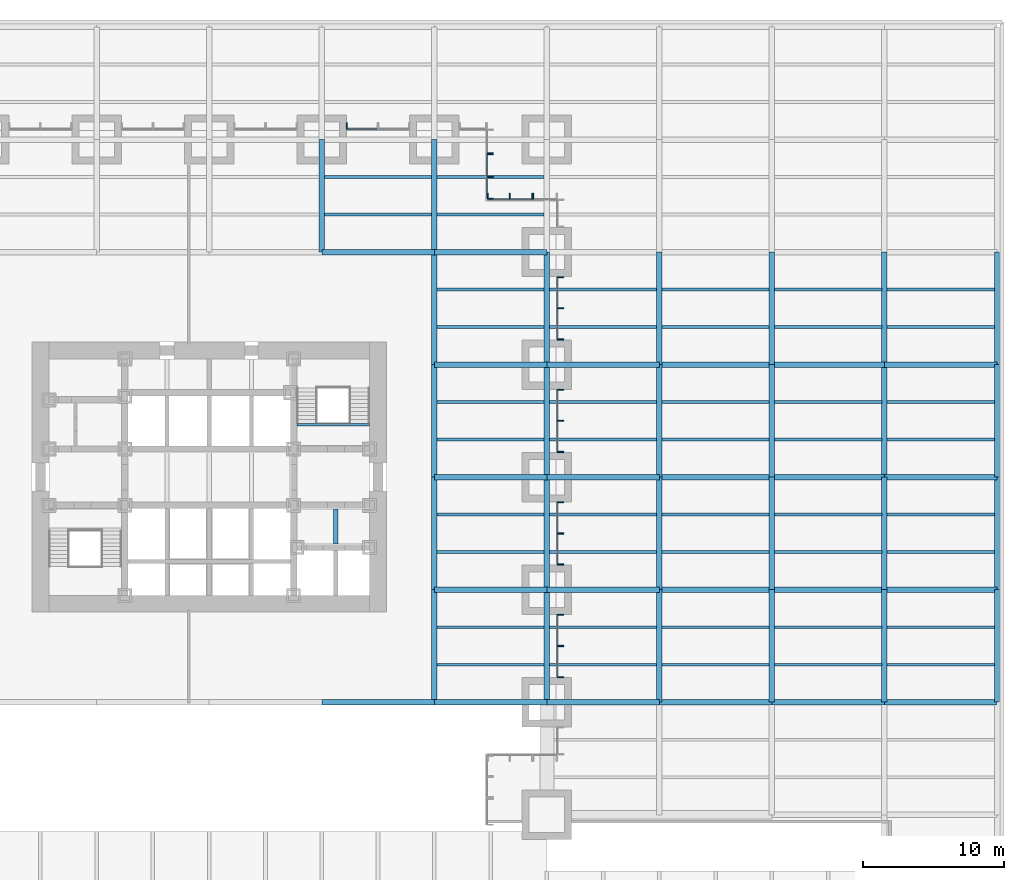
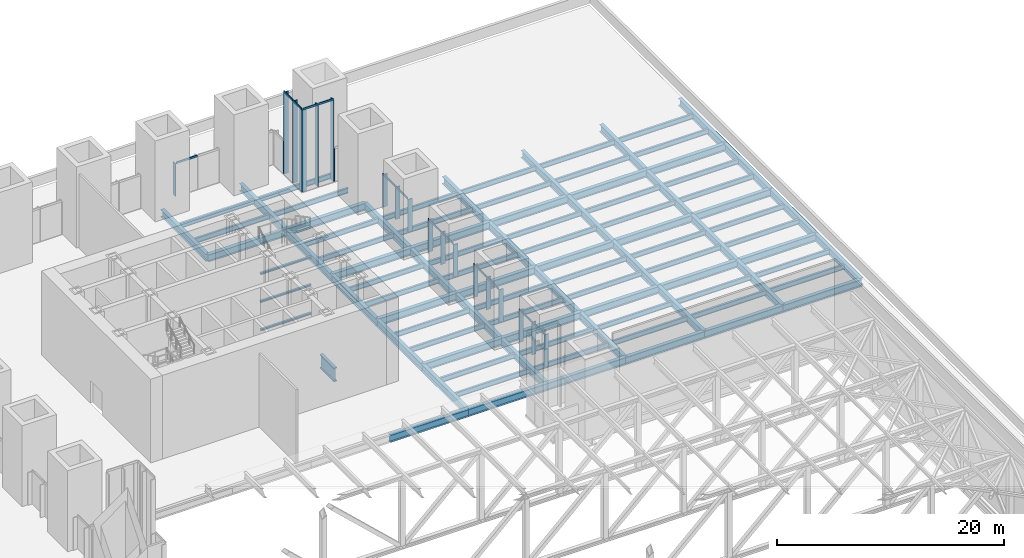
# One storey, part 10 of 20: 97 beams, 34 members, 9 elements without a shape of their own.
"""IFC4 building model written with IfcOpenShell, lengths in metres."""

from ifc_helpers import new_model, si_unit, direction, frame, origin, origin_2d, place, context, subcontext, project, spatial, rectangle, i_section, extrude, material, material_profile, profile_set, type_object, element, aggregate, save


model = new_model("IFC4")

# Units and contexts
model_context = context("Model", 3, precision=1e-05, world=origin(), true_north=direction((0.0, 1.0)))
body_context = subcontext(model_context, "Body", "Model", "MODEL_VIEW")
ifc_project = project(units=[si_unit("LENGTHUNIT", "METRE"), si_unit("AREAUNIT", "SQUARE_METRE"), si_unit("VOLUMEUNIT", "CUBIC_METRE"), si_unit("PLANEANGLEUNIT", "RADIAN"), si_unit("MASSUNIT", "GRAM", prefix="KILO")], contexts=[model_context])

# Site, building, storey
site_placement = place(None, origin())
site = spatial("IfcSite", under=ifc_project, at=site_placement, CompositionType="ELEMENT")
building_placement = place(site_placement, origin())
building = spatial("IfcBuilding", under=site, at=building_placement, Name="Daluyong Arena Tower", CompositionType="ELEMENT")
storey_placement = place(building_placement, frame((0.0, 0.0, 25.89990234375)))
storey = spatial("IfcBuildingStorey", under=building, at=storey_placement, Name="L05", CompositionType="ELEMENT", Elevation=25.89990234375)

# Curtain wall, members
ifc_material_1 = material(Name="Bronze anodised aluminium and glass", Category="aluminium")
curtain_wall_type = type_object("IfcCurtainWallType", Name="Curtain wall CW6", PredefinedType="USERDEFINED", material=ifc_material_1)
curtain_wall_1_placement = place(storey_placement, origin())
curtain_wall_1 = element("IfcCurtainWall", 1, at=curtain_wall_1_placement, inside=storey, type_object=curtain_wall_type, Name="curtain wall L05 E bay 2", ObjectType="UNITISED CURTAIN WALL", PredefinedType="USERDEFINED")
ifc_material_2 = material(Name="Bronze anodised aluminium fin", Category="aluminium")
ifc_material_profile_1 = material_profile(ifc_material_2, rectangle(XDim=0.449951171875, YDim=0.080078125, at=origin_2d()))
ifc_profile_set_1 = profile_set([ifc_material_profile_1], Name="Bronze anodised aluminium fin")
member_type_1 = type_object("IfcMemberType", Name="CW6 bronze fin 450x80", PredefinedType="MULLION", material=ifc_profile_set_1)
member_1_placement = place(storey_placement, frame((80.97509765625, 65.7900390625, 0.0), z_axis=(0.0, 0.0, 1.0), x_axis=(-1.0, 0.0, 0.0)))
member_1 = element("IfcMember", 2, at=member_1_placement, type_object=member_type_1, Name="curtain wall L05 E bay 2 fin 1", PredefinedType="MULLION", context=body_context, shape_type="SweptSolid", body=[
    extrude(rectangle(XDim=0.449951171875, YDim=0.080078125, at=origin_2d()), origin(), (0.0, 0.0, 1.0), 3.5),
])
member_2_placement = place(storey_placement, frame((80.97509765625, 68.0, 0.0), z_axis=(0.0, 0.0, 1.0), x_axis=(-1.0, 0.0, 0.0)))
member_2 = element("IfcMember", 3, at=member_2_placement, type_object=member_type_1, Name="curtain wall L05 E bay 2 fin 2", PredefinedType="MULLION", context=body_context, shape_type="SweptSolid", body=[
    extrude(rectangle(XDim=0.449951171875, YDim=0.080078125, at=origin_2d()), origin(), (0.0, 0.0, 1.0), 3.5),
])
member_3_placement = place(storey_placement, frame((80.97509765625, 70.2099609375, 0.0), z_axis=(0.0, 0.0, 1.0), x_axis=(-1.0, 0.0, 0.0)))
member_3 = element("IfcMember", 4, at=member_3_placement, type_object=member_type_1, Name="curtain wall L05 E bay 2 fin 3", PredefinedType="MULLION", context=body_context, shape_type="SweptSolid", body=[
    extrude(rectangle(XDim=0.449951171875, YDim=0.080078125, at=origin_2d()), origin(), (0.0, 0.0, 1.0), 3.5),
])

curtain_wall_2_placement = place(storey_placement, origin())
curtain_wall_2 = element("IfcCurtainWall", 5, at=curtain_wall_2_placement, inside=storey, type_object=curtain_wall_type, Name="curtain wall L05 E bay 3", ObjectType="UNITISED CURTAIN WALL", PredefinedType="USERDEFINED")
member_4_placement = place(storey_placement, frame((80.97509765625, 73.7900390625, 0.0), z_axis=(0.0, 0.0, 1.0), x_axis=(-1.0, 0.0, 0.0)))
member_4 = element("IfcMember", 6, at=member_4_placement, type_object=member_type_1, Name="curtain wall L05 E bay 3 fin 1", PredefinedType="MULLION", context=body_context, shape_type="SweptSolid", body=[
    extrude(rectangle(XDim=0.449951171875, YDim=0.080078125, at=origin_2d()), origin(), (0.0, 0.0, 1.0), 3.5),
])
member_5_placement = place(storey_placement, frame((80.97509765625, 76.0, 0.0), z_axis=(0.0, 0.0, 1.0), x_axis=(-1.0, 0.0, 0.0)))
member_5 = element("IfcMember", 7, at=member_5_placement, type_object=member_type_1, Name="curtain wall L05 E bay 3 fin 2", PredefinedType="MULLION", context=body_context, shape_type="SweptSolid", body=[
    extrude(rectangle(XDim=0.449951171875, YDim=0.080078125, at=origin_2d()), origin(), (0.0, 0.0, 1.0), 3.5),
])
member_6_placement = place(storey_placement, frame((80.97509765625, 78.2099609375, 0.0), z_axis=(0.0, 0.0, 1.0), x_axis=(-1.0, 0.0, 0.0)))
member_6 = element("IfcMember", 8, at=member_6_placement, type_object=member_type_1, Name="curtain wall L05 E bay 3 fin 3", PredefinedType="MULLION", context=body_context, shape_type="SweptSolid", body=[
    extrude(rectangle(XDim=0.449951171875, YDim=0.080078125, at=origin_2d()), origin(), (0.0, 0.0, 1.0), 3.5),
])

curtain_wall_3_placement = place(storey_placement, origin())
curtain_wall_3 = element("IfcCurtainWall", 9, at=curtain_wall_3_placement, inside=storey, type_object=curtain_wall_type, Name="curtain wall L05 E bay 4", ObjectType="UNITISED CURTAIN WALL", PredefinedType="USERDEFINED")
member_7_placement = place(storey_placement, frame((80.97509765625, 81.7900390625, 0.0), z_axis=(0.0, 0.0, 1.0), x_axis=(-1.0, 0.0, 0.0)))
member_7 = element("IfcMember", 10, at=member_7_placement, type_object=member_type_1, Name="curtain wall L05 E bay 4 fin 1", PredefinedType="MULLION", context=body_context, shape_type="SweptSolid", body=[
    extrude(rectangle(XDim=0.449951171875, YDim=0.080078125, at=origin_2d()), origin(), (0.0, 0.0, 1.0), 3.5),
])
member_8_placement = place(storey_placement, frame((80.97509765625, 84.0, 0.0), z_axis=(0.0, 0.0, 1.0), x_axis=(-1.0, 0.0, 0.0)))
member_8 = element("IfcMember", 11, at=member_8_placement, type_object=member_type_1, Name="curtain wall L05 E bay 4 fin 2", PredefinedType="MULLION", context=body_context, shape_type="SweptSolid", body=[
    extrude(rectangle(XDim=0.449951171875, YDim=0.080078125, at=origin_2d()), origin(), (0.0, 0.0, 1.0), 3.5),
])
member_9_placement = place(storey_placement, frame((80.97509765625, 86.2099609375, 0.0), z_axis=(0.0, 0.0, 1.0), x_axis=(-1.0, 0.0, 0.0)))
member_9 = element("IfcMember", 12, at=member_9_placement, type_object=member_type_1, Name="curtain wall L05 E bay 4 fin 3", PredefinedType="MULLION", context=body_context, shape_type="SweptSolid", body=[
    extrude(rectangle(XDim=0.449951171875, YDim=0.080078125, at=origin_2d()), origin(), (0.0, 0.0, 1.0), 3.5),
])

curtain_wall_4_placement = place(storey_placement, origin())
curtain_wall_4 = element("IfcCurtainWall", 13, at=curtain_wall_4_placement, inside=storey, type_object=curtain_wall_type, Name="curtain wall L05 E bay 5", ObjectType="UNITISED CURTAIN WALL", PredefinedType="USERDEFINED")
member_10_placement = place(storey_placement, frame((80.97509765625, 89.7900390625, 0.0), z_axis=(0.0, 0.0, 1.0), x_axis=(-1.0, 0.0, 0.0)))
member_10 = element("IfcMember", 14, at=member_10_placement, type_object=member_type_1, Name="curtain wall L05 E bay 5 fin 1", PredefinedType="MULLION", context=body_context, shape_type="SweptSolid", body=[
    extrude(rectangle(XDim=0.449951171875, YDim=0.080078125, at=origin_2d()), origin(), (0.0, 0.0, 1.0), 3.5),
])
member_11_placement = place(storey_placement, frame((80.97509765625, 92.0, 0.0), z_axis=(0.0, 0.0, 1.0), x_axis=(-1.0, 0.0, 0.0)))
member_11 = element("IfcMember", 15, at=member_11_placement, type_object=member_type_1, Name="curtain wall L05 E bay 5 fin 2", PredefinedType="MULLION", context=body_context, shape_type="SweptSolid", body=[
    extrude(rectangle(XDim=0.449951171875, YDim=0.080078125, at=origin_2d()), origin(), (0.0, 0.0, 1.0), 3.5),
])
member_12_placement = place(storey_placement, frame((80.97509765625, 94.2099609375, 0.0), z_axis=(0.0, 0.0, 1.0), x_axis=(-1.0, 0.0, 0.0)))
member_12 = element("IfcMember", 16, at=member_12_placement, type_object=member_type_1, Name="curtain wall L05 E bay 5 fin 3", PredefinedType="MULLION", context=body_context, shape_type="SweptSolid", body=[
    extrude(rectangle(XDim=0.449951171875, YDim=0.080078125, at=origin_2d()), origin(), (0.0, 0.0, 1.0), 3.5),
])

# Curtain wall, member
curtain_wall_5_placement = place(storey_placement, origin())
curtain_wall_5 = element("IfcCurtainWall", 17, at=curtain_wall_5_placement, inside=storey, type_object=curtain_wall_type, Name="curtain wall L05 NE-N bay 1", ObjectType="UNITISED CURTAIN WALL", PredefinedType="USERDEFINED")
member_13_placement = place(storey_placement, frame((79.0400390625, 99.97509765625, 0.0), z_axis=(0.0, 0.0, 1.0), x_axis=(0.0, -1.0, 0.0)))
member_13 = element("IfcMember", 18, at=member_13_placement, type_object=member_type_1, Name="curtain wall L05 NE-N bay 1 fin 2", PredefinedType="MULLION", context=body_context, shape_type="SweptSolid", body=[
    extrude(rectangle(XDim=0.449951171875, YDim=0.080078125, at=origin_2d()), origin(), (0.0, 0.0, 1.0), 3.5),
])
aggregate(curtain_wall_5, [member_13])

# Curtain wall, members
curtain_wall_6_placement = place(storey_placement, origin())
curtain_wall_6 = element("IfcCurtainWall", 19, at=curtain_wall_6_placement, inside=storey, type_object=curtain_wall_type, Name="curtain wall L05 NE-N bay 2", ObjectType="UNITISED CURTAIN WALL", PredefinedType="USERDEFINED")
member_14_placement = place(storey_placement, frame((78.9599609375, 99.97509765625, 0.0), z_axis=(0.0, 0.0, 1.0), x_axis=(0.0, -1.0, 0.0)))
member_14 = element("IfcMember", 20, at=member_14_placement, type_object=member_type_1, Name="curtain wall L05 NE-N bay 2 fin 1", PredefinedType="MULLION", context=body_context, shape_type="SweptSolid", body=[
    extrude(rectangle(XDim=0.449951171875, YDim=0.080078125, at=origin_2d()), origin(), (0.0, 0.0, 1.0), 8.800048828125),
])
member_15_placement = place(storey_placement, frame((77.375, 99.97509765625, 0.0), z_axis=(0.0, 0.0, 1.0), x_axis=(0.0, -1.0, 0.0)))
member_15 = element("IfcMember", 21, at=member_15_placement, type_object=member_type_1, Name="curtain wall L05 NE-N bay 2 fin 2", PredefinedType="MULLION", context=body_context, shape_type="SweptSolid", body=[
    extrude(rectangle(XDim=0.449951171875, YDim=0.080078125, at=origin_2d()), origin(), (0.0, 0.0, 1.0), 8.800048828125),
])
member_16_placement = place(storey_placement, frame((75.7900390625, 99.97509765625, 0.0), z_axis=(0.0, 0.0, 1.0), x_axis=(0.0, -1.0, 0.0)))
member_16 = element("IfcMember", 22, at=member_16_placement, type_object=member_type_1, Name="curtain wall L05 NE-N bay 2 fin 3", PredefinedType="MULLION", context=body_context, shape_type="SweptSolid", body=[
    extrude(rectangle(XDim=0.449951171875, YDim=0.080078125, at=origin_2d()), origin(), (0.0, 0.0, 1.0), 8.800048828125),
])

curtain_wall_7_placement = place(storey_placement, origin())
curtain_wall_7 = element("IfcCurtainWall", 23, at=curtain_wall_7_placement, inside=storey, type_object=curtain_wall_type, Name="curtain wall L05 NE-E bay 1", ObjectType="UNITISED CURTAIN WALL", PredefinedType="USERDEFINED")
member_17_placement = place(storey_placement, frame((75.97509765625, 99.7900390625, 0.0), z_axis=(0.0, 0.0, 1.0), x_axis=(-1.0, 0.0, 0.0)))
member_17 = element("IfcMember", 24, at=member_17_placement, type_object=member_type_1, Name="curtain wall L05 NE-E bay 1 fin 1", PredefinedType="MULLION", context=body_context, shape_type="SweptSolid", body=[
    extrude(rectangle(XDim=0.449951171875, YDim=0.080078125, at=origin_2d()), origin(), (0.0, 0.0, 1.0), 8.800048828125),
])
member_18_placement = place(storey_placement, frame((75.97509765625, 101.375, 0.0), z_axis=(0.0, 0.0, 1.0), x_axis=(-1.0, 0.0, 0.0)))
member_18 = element("IfcMember", 25, at=member_18_placement, type_object=member_type_1, Name="curtain wall L05 NE-E bay 1 fin 2", PredefinedType="MULLION", context=body_context, shape_type="SweptSolid", body=[
    extrude(rectangle(XDim=0.449951171875, YDim=0.080078125, at=origin_2d()), origin(), (0.0, 0.0, 1.0), 8.800048828125),
])
member_19_placement = place(storey_placement, frame((75.97509765625, 102.9599609375, 0.0), z_axis=(0.0, 0.0, 1.0), x_axis=(-1.0, 0.0, 0.0)))
member_19 = element("IfcMember", 26, at=member_19_placement, type_object=member_type_1, Name="curtain wall L05 NE-E bay 1 fin 3", PredefinedType="MULLION", context=body_context, shape_type="SweptSolid", body=[
    extrude(rectangle(XDim=0.449951171875, YDim=0.080078125, at=origin_2d()), origin(), (0.0, 0.0, 1.0), 8.800048828125),
])

# Curtain wall, member
curtain_wall_8_placement = place(storey_placement, origin())
curtain_wall_8 = element("IfcCurtainWall", 27, at=curtain_wall_8_placement, inside=storey, type_object=curtain_wall_type, Name="curtain wall L05 NE-E bay 2", ObjectType="UNITISED CURTAIN WALL", PredefinedType="USERDEFINED")
member_20_placement = place(storey_placement, frame((75.97509765625, 103.0400390625, 0.0), z_axis=(0.0, 0.0, 1.0), x_axis=(-1.0, 0.0, 0.0)))
member_20 = element("IfcMember", 28, at=member_20_placement, type_object=member_type_1, Name="curtain wall L05 NE-E bay 2 fin 1", PredefinedType="MULLION", context=body_context, shape_type="SweptSolid", body=[
    extrude(rectangle(XDim=0.449951171875, YDim=0.080078125, at=origin_2d()), origin(), (0.0, 0.0, 1.0), 3.5),
])
aggregate(curtain_wall_8, [member_20])

curtain_wall_9_placement = place(storey_placement, origin())
curtain_wall_9 = element("IfcCurtainWall", 29, at=curtain_wall_9_placement, inside=storey, type_object=curtain_wall_type, Name="curtain wall L05 N bay 2", ObjectType="UNITISED CURTAIN WALL", PredefinedType="USERDEFINED")
member_21_placement = place(storey_placement, frame((65.7900390625, 104.97509765625, 0.0), z_axis=(0.0, 0.0, 1.0), x_axis=(0.0, -1.0, 0.0)))
member_21 = element("IfcMember", 30, at=member_21_placement, type_object=member_type_1, Name="curtain wall L05 N bay 2 fin 3", PredefinedType="MULLION", context=body_context, shape_type="SweptSolid", body=[
    extrude(rectangle(XDim=0.449951171875, YDim=0.080078125, at=origin_2d()), origin(), (0.0, 0.0, 1.0), 3.5),
])

# Member
ifc_material_3 = material(Name="Bronze anodised aluminium", Category="aluminium")
ifc_material_profile_2 = material_profile(ifc_material_3, rectangle(XDim=0.080078125, YDim=0.199951171875, at=origin_2d()))
ifc_profile_set_2 = profile_set([ifc_material_profile_2], Name="Bronze anodised aluminium")
member_type_2 = type_object("IfcMemberType", Name="CW6 stack transom 200x80", PredefinedType="USERDEFINED", material=ifc_profile_set_2)
member_22_placement = place(storey_placement, frame((80.75, 65.830078125, 3.60009765625), z_axis=(0.0, 1.0, 0.0), x_axis=(-1.0, 0.0, 0.0)))
member_22 = element("IfcMember", 31, at=member_22_placement, type_object=member_type_2, Name="curtain wall L05 E bay 2 transom 1", ObjectType="TRANSOM", PredefinedType="USERDEFINED", context=body_context, shape_type="SweptSolid", body=[
    extrude(rectangle(XDim=0.080078125, YDim=0.199951171875, at=origin_2d()), origin(), (0.0, 0.0, 1.0), 2.1298828125),
])

member_23_placement = place(storey_placement, frame((80.75, 68.0400390625, 3.60009765625), z_axis=(0.0, 1.0, 0.0), x_axis=(-1.0, 0.0, 0.0)))
member_23 = element("IfcMember", 32, at=member_23_placement, type_object=member_type_2, Name="curtain wall L05 E bay 2 transom 2", ObjectType="TRANSOM", PredefinedType="USERDEFINED", context=body_context, shape_type="SweptSolid", body=[
    extrude(rectangle(XDim=0.080078125, YDim=0.199951171875, at=origin_2d()), origin(), (0.0, 0.0, 1.0), 2.1298828125),
])

aggregate(curtain_wall_1, [member_1, member_2, member_3, member_22, member_23])

member_24_placement = place(storey_placement, frame((80.75, 73.830078125, 3.60009765625), z_axis=(0.0, 1.0, 0.0), x_axis=(-1.0, 0.0, 0.0)))
member_24 = element("IfcMember", 33, at=member_24_placement, type_object=member_type_2, Name="curtain wall L05 E bay 3 transom 1", ObjectType="TRANSOM", PredefinedType="USERDEFINED", context=body_context, shape_type="SweptSolid", body=[
    extrude(rectangle(XDim=0.080078125, YDim=0.199951171875, at=origin_2d()), origin(), (0.0, 0.0, 1.0), 2.1298828125),
])

member_25_placement = place(storey_placement, frame((80.75, 76.0400390625, 3.60009765625), z_axis=(0.0, 1.0, 0.0), x_axis=(-1.0, 0.0, 0.0)))
member_25 = element("IfcMember", 34, at=member_25_placement, type_object=member_type_2, Name="curtain wall L05 E bay 3 transom 2", ObjectType="TRANSOM", PredefinedType="USERDEFINED", context=body_context, shape_type="SweptSolid", body=[
    extrude(rectangle(XDim=0.080078125, YDim=0.199951171875, at=origin_2d()), origin(), (0.0, 0.0, 1.0), 2.1298828125),
])

aggregate(curtain_wall_2, [member_4, member_5, member_6, member_24, member_25])

member_26_placement = place(storey_placement, frame((80.75, 81.830078125, 3.60009765625), z_axis=(0.0, 1.0, 0.0), x_axis=(-1.0, 0.0, 0.0)))
member_26 = element("IfcMember", 35, at=member_26_placement, type_object=member_type_2, Name="curtain wall L05 E bay 4 transom 1", ObjectType="TRANSOM", PredefinedType="USERDEFINED", context=body_context, shape_type="SweptSolid", body=[
    extrude(rectangle(XDim=0.080078125, YDim=0.199951171875, at=origin_2d()), origin(), (0.0, 0.0, 1.0), 2.1298828125),
])

member_27_placement = place(storey_placement, frame((80.75, 84.0400390625, 3.60009765625), z_axis=(0.0, 1.0, 0.0), x_axis=(-1.0, 0.0, 0.0)))
member_27 = element("IfcMember", 36, at=member_27_placement, type_object=member_type_2, Name="curtain wall L05 E bay 4 transom 2", ObjectType="TRANSOM", PredefinedType="USERDEFINED", context=body_context, shape_type="SweptSolid", body=[
    extrude(rectangle(XDim=0.080078125, YDim=0.199951171875, at=origin_2d()), origin(), (0.0, 0.0, 1.0), 2.1298828125),
])

aggregate(curtain_wall_3, [member_7, member_8, member_9, member_26, member_27])

member_28_placement = place(storey_placement, frame((80.75, 89.830078125, 3.60009765625), z_axis=(0.0, 1.0, 0.0), x_axis=(-1.0, 0.0, 0.0)))
member_28 = element("IfcMember", 37, at=member_28_placement, type_object=member_type_2, Name="curtain wall L05 E bay 5 transom 1", ObjectType="TRANSOM", PredefinedType="USERDEFINED", context=body_context, shape_type="SweptSolid", body=[
    extrude(rectangle(XDim=0.080078125, YDim=0.199951171875, at=origin_2d()), origin(), (0.0, 0.0, 1.0), 2.1298828125),
])

member_29_placement = place(storey_placement, frame((80.75, 92.0400390625, 3.60009765625), z_axis=(0.0, 1.0, 0.0), x_axis=(-1.0, 0.0, 0.0)))
member_29 = element("IfcMember", 38, at=member_29_placement, type_object=member_type_2, Name="curtain wall L05 E bay 5 transom 2", ObjectType="TRANSOM", PredefinedType="USERDEFINED", context=body_context, shape_type="SweptSolid", body=[
    extrude(rectangle(XDim=0.080078125, YDim=0.199951171875, at=origin_2d()), origin(), (0.0, 0.0, 1.0), 2.1298828125),
])

aggregate(curtain_wall_4, [member_10, member_11, member_12, member_28, member_29])

member_30_placement = place(storey_placement, frame((78.919921875, 99.75, 8.900146484375), z_axis=(-1.0, 0.0, 0.0), x_axis=(0.0, -1.0, 0.0)))
member_30 = element("IfcMember", 39, at=member_30_placement, type_object=member_type_2, Name="curtain wall L05 NE-N bay 2 transom 1", ObjectType="TRANSOM", PredefinedType="USERDEFINED", context=body_context, shape_type="SweptSolid", body=[
    extrude(rectangle(XDim=0.080078125, YDim=0.199951171875, at=origin_2d()), origin(), (0.0, 0.0, 1.0), 1.5048828125),
])

member_31_placement = place(storey_placement, frame((77.3349609375, 99.75, 8.900146484375), z_axis=(-1.0, 0.0, 0.0), x_axis=(0.0, -1.0, 0.0)))
member_31 = element("IfcMember", 40, at=member_31_placement, type_object=member_type_2, Name="curtain wall L05 NE-N bay 2 transom 2", ObjectType="TRANSOM", PredefinedType="USERDEFINED", context=body_context, shape_type="SweptSolid", body=[
    extrude(rectangle(XDim=0.080078125, YDim=0.199951171875, at=origin_2d()), origin(), (0.0, 0.0, 1.0), 1.5048828125),
])

aggregate(curtain_wall_6, [member_14, member_15, member_16, member_30, member_31])

member_32_placement = place(storey_placement, frame((75.75, 99.830078125, 8.900146484375), z_axis=(0.0, 1.0, 0.0), x_axis=(-1.0, 0.0, 0.0)))
member_32 = element("IfcMember", 41, at=member_32_placement, type_object=member_type_2, Name="curtain wall L05 NE-E bay 1 transom 1", ObjectType="TRANSOM", PredefinedType="USERDEFINED", context=body_context, shape_type="SweptSolid", body=[
    extrude(rectangle(XDim=0.080078125, YDim=0.199951171875, at=origin_2d()), origin(), (0.0, 0.0, 1.0), 1.5048828125),
])

member_33_placement = place(storey_placement, frame((75.75, 101.4150390625, 8.900146484375), z_axis=(0.0, 1.0, 0.0), x_axis=(-1.0, 0.0, 0.0)))
member_33 = element("IfcMember", 42, at=member_33_placement, type_object=member_type_2, Name="curtain wall L05 NE-E bay 1 transom 2", ObjectType="TRANSOM", PredefinedType="USERDEFINED", context=body_context, shape_type="SweptSolid", body=[
    extrude(rectangle(XDim=0.080078125, YDim=0.199951171875, at=origin_2d()), origin(), (0.0, 0.0, 1.0), 1.5048828125),
])

aggregate(curtain_wall_7, [member_17, member_18, member_19, member_32, member_33])

member_34_placement = place(storey_placement, frame((67.9599609375, 104.75, 3.60009765625), z_axis=(-1.0, 0.0, 0.0), x_axis=(0.0, -1.0, 0.0)))
member_34 = element("IfcMember", 43, at=member_34_placement, type_object=member_type_2, Name="curtain wall L05 N bay 2 transom 2", ObjectType="TRANSOM", PredefinedType="USERDEFINED", context=body_context, shape_type="SweptSolid", body=[
    extrude(rectangle(XDim=0.080078125, YDim=0.199951171875, at=origin_2d()), origin(), (0.0, 0.0, 1.0), 2.1298828125),
])

aggregate(curtain_wall_9, [member_21, member_34])

# Beams
ifc_material_4 = material(Name="Steel ASTM A572 Grade 50", Category="steel")
ifc_material_profile_3 = material_profile(ifc_material_4, i_section(OverallWidth=0.300048828125, OverallDepth=1.5, WebThickness=0.04, FlangeThickness=0.1, at=origin_2d()))
ifc_profile_set_3 = profile_set([ifc_material_profile_3], Name="Steel ASTM A572 Grade 50")
beam_type_1 = type_object("IfcBeamType", Name="Lift divider beam PG1500X300", PredefinedType="BEAM", material=ifc_profile_set_3)
beam_1_placement = place(storey_placement, frame((65.0, 75.25, -1.0), z_axis=(0.0, 1.0, 0.0), x_axis=(-1.0, 0.0, 0.0)))
element("IfcBeam", 44, at=beam_1_placement, inside=storey, type_object=beam_type_1, Name="lift divider beam DB2", PredefinedType="BEAM", context=body_context, shape_type="SweptSolid", body=[
    extrude(i_section(OverallWidth=0.300048828125, OverallDepth=1.5, WebThickness=0.04, FlangeThickness=0.1, at=origin_2d()), origin(), (0.0, 0.0, 1.0), 2.5),
])
ifc_material_5 = material(Name="Steel ASTM A992 Grade 50", Category="steel")
ifc_material_profile_4 = material_profile(ifc_material_5, i_section(OverallWidth=0.209228515625, OverallDepth=0.533447265625, WebThickness=0.01025390625, FlangeThickness=0.015625, at=origin_2d()))
ifc_profile_set_4 = profile_set([ifc_material_profile_4], Name="Steel ASTM A992 Grade 50")
beam_type_2 = type_object("IfcBeamType", Name="Podium floor beam W21X62", PredefinedType="BEAM", material=ifc_profile_set_4)
for number, where, z_axis, x_axis, name in (
    (45, (64.1904296875, 98.666748046875, -0.5166015625), (1.0, 0.0, 0.0), (0.0, 1.0, 0.0), "podium floor beam PB1"),
    (46, (64.1904296875, 101.333251953125, -0.5166015625), (1.0, 0.0, 0.0), (0.0, 1.0, 0.0), "podium floor beam PB1"),
    (47, (72.1904296875, 66.666748046875, -0.5166015625), (1.0, 0.0, 0.0), (0.0, 1.0, 0.0), "podium floor beam PB1"),
    (48, (72.1904296875, 69.333251953125, -0.5166015625), (1.0, 0.0, 0.0), (0.0, 1.0, 0.0), "podium floor beam PB1"),
    (49, (72.1904296875, 74.666748046875, -0.5166015625), (1.0, 0.0, 0.0), (0.0, 1.0, 0.0), "podium floor beam PB1"),
    (50, (72.1904296875, 77.333251953125, -0.5166015625), (1.0, 0.0, 0.0), (0.0, 1.0, 0.0), "podium floor beam PB1"),
    (51, (72.1904296875, 82.666748046875, -0.5166015625), (1.0, 0.0, 0.0), (0.0, 1.0, 0.0), "podium floor beam PB1"),
    (52, (72.1904296875, 85.333251953125, -0.5166015625), (1.0, 0.0, 0.0), (0.0, 1.0, 0.0), "podium floor beam PB1"),
    (53, (72.1904296875, 90.666748046875, -0.5166015625), (1.0, 0.0, 0.0), (0.0, 1.0, 0.0), "podium floor beam PB1"),
    (54, (72.1904296875, 93.333251953125, -0.5166015625), (1.0, 0.0, 0.0), (0.0, 1.0, 0.0), "podium floor beam PB1"),
    (55, (72.1904296875, 98.666748046875, -0.5166015625), (1.0, 0.0, 0.0), (0.0, 1.0, 0.0), "podium floor beam PB1"),
    (56, (72.1904296875, 101.333251953125, -0.5166015625), (1.0, 0.0, 0.0), (0.0, 1.0, 0.0), "podium floor beam PB1"),
    (57, (80.1904296875, 66.666748046875, -0.5166015625), (1.0, 0.0, 0.0), (0.0, 1.0, 0.0), "podium floor beam PB1"),
    (58, (80.1904296875, 69.333251953125, -0.5166015625), (1.0, 0.0, 0.0), (0.0, 1.0, 0.0), "podium floor beam PB1"),
    (59, (80.1904296875, 74.666748046875, -0.5166015625), (1.0, 0.0, 0.0), (0.0, 1.0, 0.0), "podium floor beam PB1"),
    (60, (80.1904296875, 77.333251953125, -0.5166015625), (1.0, 0.0, 0.0), (0.0, 1.0, 0.0), "podium floor beam PB1"),
    (61, (80.1904296875, 82.666748046875, -0.5166015625), (1.0, 0.0, 0.0), (0.0, 1.0, 0.0), "podium floor beam PB1"),
    (62, (80.1904296875, 85.333251953125, -0.5166015625), (1.0, 0.0, 0.0), (0.0, 1.0, 0.0), "podium floor beam PB1"),
    (63, (80.1904296875, 90.666748046875, -0.5166015625), (1.0, 0.0, 0.0), (0.0, 1.0, 0.0), "podium floor beam PB1"),
    (64, (80.1904296875, 93.333251953125, -0.5166015625), (1.0, 0.0, 0.0), (0.0, 1.0, 0.0), "podium floor beam PB1"),
    (65, (88.1904296875, 66.666748046875, -0.5166015625), (1.0, 0.0, 0.0), (0.0, 1.0, 0.0), "podium floor beam PB1"),
    (66, (88.1904296875, 69.333251953125, -0.5166015625), (1.0, 0.0, 0.0), (0.0, 1.0, 0.0), "podium floor beam PB1"),
    (67, (88.1904296875, 74.666748046875, -0.5166015625), (1.0, 0.0, 0.0), (0.0, 1.0, 0.0), "podium floor beam PB1"),
    (68, (88.1904296875, 77.333251953125, -0.5166015625), (1.0, 0.0, 0.0), (0.0, 1.0, 0.0), "podium floor beam PB1"),
    (69, (88.1904296875, 82.666748046875, -0.5166015625), (1.0, 0.0, 0.0), (0.0, 1.0, 0.0), "podium floor beam PB1"),
    (70, (88.1904296875, 85.333251953125, -0.5166015625), (1.0, 0.0, 0.0), (0.0, 1.0, 0.0), "podium floor beam PB1"),
    (71, (88.1904296875, 90.666748046875, -0.5166015625), (1.0, 0.0, 0.0), (0.0, 1.0, 0.0), "podium floor beam PB1"),
    (72, (88.1904296875, 93.333251953125, -0.5166015625), (1.0, 0.0, 0.0), (0.0, 1.0, 0.0), "podium floor beam PB1"),
    (73, (96.1904296875, 66.666748046875, -0.5166015625), (1.0, 0.0, 0.0), (0.0, 1.0, 0.0), "podium floor beam PB1"),
    (74, (96.1904296875, 69.333251953125, -0.5166015625), (1.0, 0.0, 0.0), (0.0, 1.0, 0.0), "podium floor beam PB1"),
    (75, (96.1904296875, 74.666748046875, -0.5166015625), (1.0, 0.0, 0.0), (0.0, 1.0, 0.0), "podium floor beam PB1"),
    (76, (96.1904296875, 77.333251953125, -0.5166015625), (1.0, 0.0, 0.0), (0.0, 1.0, 0.0), "podium floor beam PB1"),
    (77, (96.1904296875, 82.666748046875, -0.5166015625), (1.0, 0.0, 0.0), (0.0, 1.0, 0.0), "podium floor beam PB1"),
    (78, (96.1904296875, 85.333251953125, -0.5166015625), (1.0, 0.0, 0.0), (0.0, 1.0, 0.0), "podium floor beam PB1"),
    (79, (96.1904296875, 90.666748046875, -0.5166015625), (1.0, 0.0, 0.0), (0.0, 1.0, 0.0), "podium floor beam PB1"),
    (80, (96.1904296875, 93.333251953125, -0.5166015625), (1.0, 0.0, 0.0), (0.0, 1.0, 0.0), "podium floor beam PB1"),
    (81, (104.1904296875, 66.666748046875, -0.5166015625), (1.0, 0.0, 0.0), (0.0, 1.0, 0.0), "podium floor beam PB1"),
    (82, (104.1904296875, 69.333251953125, -0.5166015625), (1.0, 0.0, 0.0), (0.0, 1.0, 0.0), "podium floor beam PB1"),
    (83, (104.1904296875, 74.666748046875, -0.5166015625), (1.0, 0.0, 0.0), (0.0, 1.0, 0.0), "podium floor beam PB1"),
    (84, (104.1904296875, 77.333251953125, -0.5166015625), (1.0, 0.0, 0.0), (0.0, 1.0, 0.0), "podium floor beam PB1"),
    (85, (104.1904296875, 82.666748046875, -0.5166015625), (1.0, 0.0, 0.0), (0.0, 1.0, 0.0), "podium floor beam PB1"),
    (86, (104.1904296875, 85.333251953125, -0.5166015625), (1.0, 0.0, 0.0), (0.0, 1.0, 0.0), "podium floor beam PB1"),
    (87, (104.1904296875, 90.666748046875, -0.5166015625), (1.0, 0.0, 0.0), (0.0, 1.0, 0.0), "podium floor beam PB1"),
    (88, (104.1904296875, 93.333251953125, -0.5166015625), (1.0, 0.0, 0.0), (0.0, 1.0, 0.0), "podium floor beam PB1"),
):
    element("IfcBeam", number, at=place(storey_placement, frame(where, z_axis=z_axis, x_axis=x_axis)), inside=storey, type_object=beam_type_2, Name=name, PredefinedType="BEAM", context=body_context, shape_type="SweptSolid", body=[
        extrude(i_section(OverallWidth=0.209228515625, OverallDepth=0.533447265625, WebThickness=0.01025390625, FlangeThickness=0.015625, at=origin_2d()), origin(), (0.0, 0.0, 1.0), 7.619140625),
    ])
ifc_material_6 = material(Name="Steel ASTM A992 Grade 50", Category="steel")
ifc_material_profile_5 = material_profile(ifc_material_6, i_section(OverallWidth=0.381103515625, OverallDepth=0.772216796875, WebThickness=0.0166015625, FlangeThickness=0.027099609375, at=origin_2d()))
ifc_profile_set_5 = profile_set([ifc_material_profile_5], Name="Steel ASTM A992 Grade 50")
beam_type_3 = type_object("IfcBeamType", Name="Podium girder W30X173", PredefinedType="BEAM", material=ifc_profile_set_5)
for number, where, z_axis, x_axis, name in (
    (89, (64.0, 64.0, -0.635986328125), (1.0, 0.0, 0.0), (0.0, 1.0, 0.0), "podium girder PG1"),
    (90, (64.0, 96.0, -0.635986328125), (1.0, 0.0, 0.0), (0.0, 1.0, 0.0), "podium girder PG1"),
    (91, (64.0, 96.0, -0.635986328125), (0.0, 1.0, 0.0), (-1.0, 0.0, 0.0), "podium girder PG1"),
    (92, (72.0, 64.0, -0.635986328125), (1.0, 0.0, 0.0), (0.0, 1.0, 0.0), "podium girder PG1"),
    (93, (72.0, 64.0, -0.635986328125), (0.0, 1.0, 0.0), (-1.0, 0.0, 0.0), "podium girder PG1"),
    (94, (72.0, 72.0, -0.635986328125), (1.0, 0.0, 0.0), (0.0, 1.0, 0.0), "podium girder PG1"),
    (95, (72.0, 72.0, -0.635986328125), (0.0, 1.0, 0.0), (-1.0, 0.0, 0.0), "podium girder PG1"),
    (96, (72.0, 80.0, -0.635986328125), (1.0, 0.0, 0.0), (0.0, 1.0, 0.0), "podium girder PG1"),
    (97, (72.0, 80.0, -0.635986328125), (0.0, 1.0, 0.0), (-1.0, 0.0, 0.0), "podium girder PG1"),
    (98, (72.0, 88.0, -0.635986328125), (1.0, 0.0, 0.0), (0.0, 1.0, 0.0), "podium girder PG1"),
    (99, (72.0, 88.0, -0.635986328125), (0.0, 1.0, 0.0), (-1.0, 0.0, 0.0), "podium girder PG1"),
    (100, (72.0, 96.0, -0.635986328125), (1.0, 0.0, 0.0), (0.0, 1.0, 0.0), "podium girder PG1"),
    (101, (72.0, 96.0, -0.635986328125), (0.0, 1.0, 0.0), (-1.0, 0.0, 0.0), "podium girder PG1"),
    (102, (80.0, 64.0, -0.635986328125), (1.0, 0.0, 0.0), (0.0, 1.0, 0.0), "podium girder PG1"),
    (103, (80.0, 64.0, -0.635986328125), (0.0, 1.0, 0.0), (-1.0, 0.0, 0.0), "podium girder PG1"),
    (104, (80.0, 72.0, -0.635986328125), (1.0, 0.0, 0.0), (0.0, 1.0, 0.0), "podium girder PG1"),
    (105, (80.0, 72.0, -0.635986328125), (0.0, 1.0, 0.0), (-1.0, 0.0, 0.0), "podium girder PG1"),
    (106, (80.0, 80.0, -0.635986328125), (1.0, 0.0, 0.0), (0.0, 1.0, 0.0), "podium girder PG1"),
    (107, (80.0, 80.0, -0.635986328125), (0.0, 1.0, 0.0), (-1.0, 0.0, 0.0), "podium girder PG1"),
    (108, (80.0, 88.0, -0.635986328125), (1.0, 0.0, 0.0), (0.0, 1.0, 0.0), "podium girder PG1"),
    (109, (80.0, 88.0, -0.635986328125), (0.0, 1.0, 0.0), (-1.0, 0.0, 0.0), "podium girder PG1"),
    (110, (88.0, 64.0, -0.635986328125), (1.0, 0.0, 0.0), (0.0, 1.0, 0.0), "podium girder PG1"),
    (111, (88.0, 64.0, -0.635986328125), (0.0, 1.0, 0.0), (-1.0, 0.0, 0.0), "podium girder PG1"),
    (112, (88.0, 72.0, -0.635986328125), (1.0, 0.0, 0.0), (0.0, 1.0, 0.0), "podium girder PG1"),
    (113, (88.0, 72.0, -0.635986328125), (0.0, 1.0, 0.0), (-1.0, 0.0, 0.0), "podium girder PG1"),
    (114, (88.0, 80.0, -0.635986328125), (1.0, 0.0, 0.0), (0.0, 1.0, 0.0), "podium girder PG1"),
    (115, (88.0, 80.0, -0.635986328125), (0.0, 1.0, 0.0), (-1.0, 0.0, 0.0), "podium girder PG1"),
    (116, (88.0, 88.0, -0.635986328125), (1.0, 0.0, 0.0), (0.0, 1.0, 0.0), "podium girder PG1"),
    (117, (88.0, 88.0, -0.635986328125), (0.0, 1.0, 0.0), (-1.0, 0.0, 0.0), "podium girder PG1"),
    (118, (96.0, 64.0, -0.635986328125), (1.0, 0.0, 0.0), (0.0, 1.0, 0.0), "podium girder PG1"),
    (119, (96.0, 64.0, -0.635986328125), (0.0, 1.0, 0.0), (-1.0, 0.0, 0.0), "podium girder PG1"),
    (120, (96.0, 72.0, -0.635986328125), (1.0, 0.0, 0.0), (0.0, 1.0, 0.0), "podium girder PG1"),
    (121, (96.0, 72.0, -0.635986328125), (0.0, 1.0, 0.0), (-1.0, 0.0, 0.0), "podium girder PG1"),
    (122, (96.0, 80.0, -0.635986328125), (1.0, 0.0, 0.0), (0.0, 1.0, 0.0), "podium girder PG1"),
    (123, (96.0, 80.0, -0.635986328125), (0.0, 1.0, 0.0), (-1.0, 0.0, 0.0), "podium girder PG1"),
    (124, (96.0, 88.0, -0.635986328125), (1.0, 0.0, 0.0), (0.0, 1.0, 0.0), "podium girder PG1"),
    (125, (96.0, 88.0, -0.635986328125), (0.0, 1.0, 0.0), (-1.0, 0.0, 0.0), "podium girder PG1"),
    (126, (104.0, 64.0, -0.635986328125), (1.0, 0.0, 0.0), (0.0, 1.0, 0.0), "podium girder PG1"),
    (127, (104.0, 64.0, -0.635986328125), (0.0, 1.0, 0.0), (-1.0, 0.0, 0.0), "podium girder PG1"),
    (128, (104.0, 72.0, -0.635986328125), (1.0, 0.0, 0.0), (0.0, 1.0, 0.0), "podium girder PG1"),
    (129, (104.0, 72.0, -0.635986328125), (0.0, 1.0, 0.0), (-1.0, 0.0, 0.0), "podium girder PG1"),
    (130, (104.0, 80.0, -0.635986328125), (1.0, 0.0, 0.0), (0.0, 1.0, 0.0), "podium girder PG1"),
    (131, (104.0, 80.0, -0.635986328125), (0.0, 1.0, 0.0), (-1.0, 0.0, 0.0), "podium girder PG1"),
    (132, (104.0, 88.0, -0.635986328125), (1.0, 0.0, 0.0), (0.0, 1.0, 0.0), "podium girder PG1"),
    (133, (104.0, 88.0, -0.635986328125), (0.0, 1.0, 0.0), (-1.0, 0.0, 0.0), "podium girder PG1"),
    (134, (112.0, 64.0, -0.635986328125), (0.0, 1.0, 0.0), (-1.0, 0.0, 0.0), "podium girder PG1"),
    (135, (112.0, 72.0, -0.635986328125), (0.0, 1.0, 0.0), (-1.0, 0.0, 0.0), "podium girder PG1"),
    (136, (112.0, 80.0, -0.635986328125), (0.0, 1.0, 0.0), (-1.0, 0.0, 0.0), "podium girder PG1"),
    (137, (112.0, 88.0, -0.635986328125), (0.0, 1.0, 0.0), (-1.0, 0.0, 0.0), "podium girder PG1"),
):
    element("IfcBeam", number, at=place(storey_placement, frame(where, z_axis=z_axis, x_axis=x_axis)), inside=storey, type_object=beam_type_3, Name=name, PredefinedType="BEAM", context=body_context, shape_type="SweptSolid", body=[
        extrude(i_section(OverallWidth=0.381103515625, OverallDepth=0.772216796875, WebThickness=0.0166015625, FlangeThickness=0.027099609375, at=origin_2d()), origin(), (0.0, 0.0, 1.0), 8.0),
    ])
ifc_material_7 = material(Name="Steel ASTM A992 Grade 50", Category="steel")
ifc_material_profile_6 = material_profile(ifc_material_7, i_section(OverallWidth=0.203125, OverallDepth=0.203125, WebThickness=0.00732421875, FlangeThickness=0.010986328125, at=origin_2d()))
ifc_profile_set_6 = profile_set([ifc_material_profile_6], Name="Steel ASTM A992 Grade 50")
beam_type_4 = type_object("IfcBeamType", Name="Stair landing beam W8X31", PredefinedType="BEAM", material=ifc_profile_set_6)
beam_2_placement = place(storey_placement, frame((62.25, 83.723388671875, -0.3515625), z_axis=(1.0, 0.0, 0.0), x_axis=(0.0, 1.0, 0.0)))
element("IfcBeam", 138, at=beam_2_placement, inside=storey, type_object=beam_type_4, Name="exit stair B landing beam", PredefinedType="BEAM", context=body_context, shape_type="SweptSolid", body=[
    extrude(i_section(OverallWidth=0.203125, OverallDepth=0.203125, WebThickness=0.00732421875, FlangeThickness=0.010986328125, at=origin_2d()), origin(), (0.0, 0.0, 1.0), 5.14990234375),
])
for number, where, z_axis, x_axis, name in (
    (139, (62.22509765625, 83.723388671875, 2.698486328125), (1.0, 0.0, 0.0), (0.0, 1.0, 0.0), "exit stair B landing beam"),
    (140, (62.22509765625, 83.723388671875, 5.698486328125), (1.0, 0.0, 0.0), (0.0, 1.0, 0.0), "exit stair B landing beam"),
):
    element("IfcBeam", number, at=place(storey_placement, frame(where, z_axis=z_axis, x_axis=x_axis)), inside=storey, type_object=beam_type_4, Name=name, PredefinedType="BEAM", context=body_context, shape_type="SweptSolid", body=[
        extrude(i_section(OverallWidth=0.203125, OverallDepth=0.203125, WebThickness=0.00732421875, FlangeThickness=0.010986328125, at=origin_2d()), origin(), (0.0, 0.0, 1.0), 5.1748046875),
    ])

save(model, "model.ifc")
